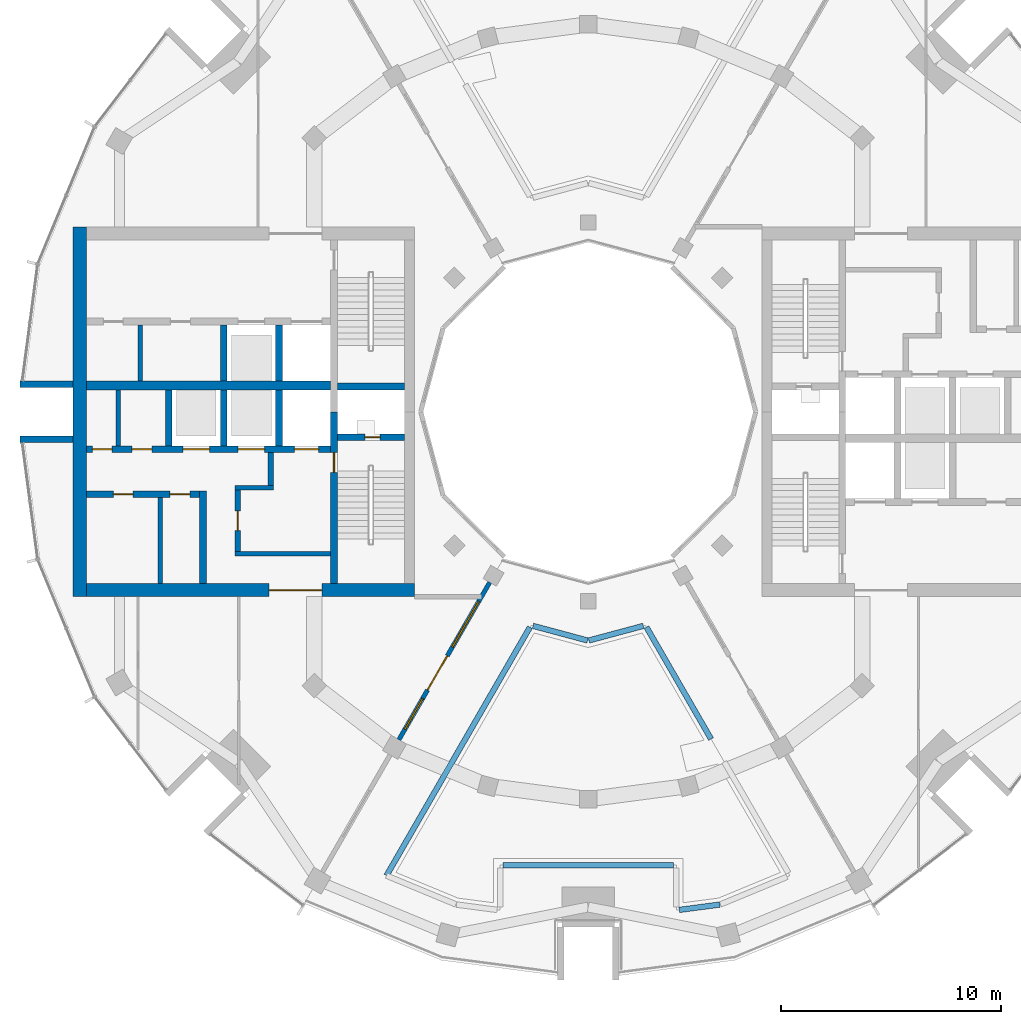
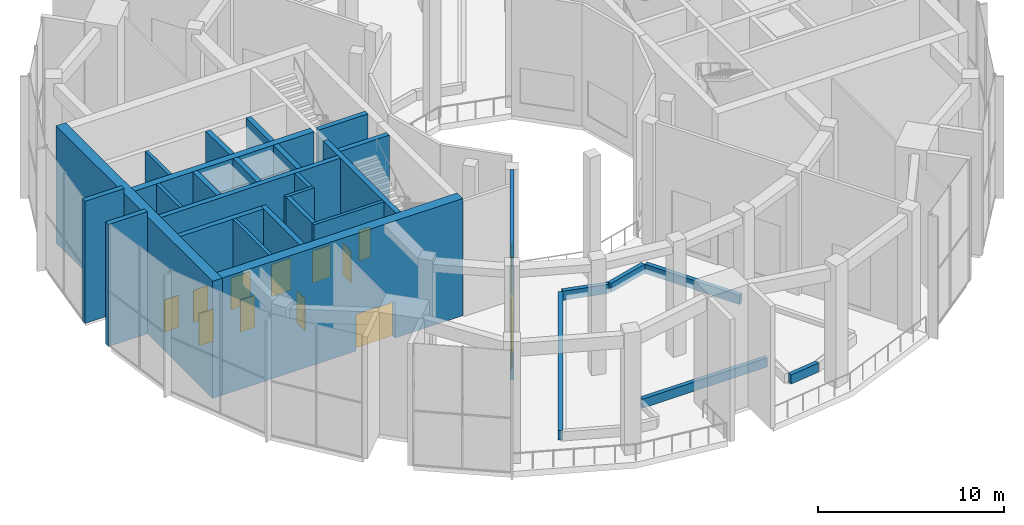
# One storey, part 11 of 18: 30 walls, 12 doors, 2 windows, 14 openings.
"""IFC4 building model written with IfcOpenShell, lengths in metres."""

import ifcopenshell
import ifcopenshell.guid

model = None  # the IFC model being written
_history = None  # IfcOwnerHistory: only IFC2X3 demands one
_inside = {}  # id of a spatial element -> (the spatial element, [elements in it])
_under = {}  # id of a project, library or spatial element -> (it, [spatial elements below it])
_declared = {}  # id of a project -> (the project, [libraries it declares])
_typed = {}  # id of a type object -> (the type object, [elements of that type])
_made_of = {}  # id of a material, layer set ... -> (it, [elements and type objects made of it])


def new_model(schema):
    """Start an empty IFC model of exactly this schema.

    Asked for "IFC4X3", IfcOpenShell would pick the latest addendum, in which some entities
    have other attributes; the version numbers below select the first issue.
    IFC2X3 requires an IfcOwnerHistory on every rooted entity: one is made here for all.
    """
    global model, _history
    if schema == "IFC4X3":
        model = ifcopenshell.file(schema_version=(4, 3, 0, 0))
    else:
        model = ifcopenshell.file(schema=schema)
    _inside.clear()
    _under.clear()
    _declared.clear()
    _typed.clear()
    _made_of.clear()
    _history = None
    if model.schema == "IFC2X3":
        org = make("IfcOrganization", Name="unknown")
        user = make(
            "IfcPersonAndOrganization",
            ThePerson=make("IfcPerson", FamilyName="unknown"),
            TheOrganization=org,
        )
        app = make(
            "IfcApplication",
            ApplicationDeveloper=org,
            Version="unknown",
            ApplicationFullName="unknown",
            ApplicationIdentifier="unknown",
        )
        _history = make(
            "IfcOwnerHistory",
            OwningUser=user,
            OwningApplication=app,
            ChangeAction="ADDED",
            CreationDate=0,
        )
    return model


def make(cls, **values):
    """One entity of the class cls with the attributes given. An attribute that is None is left unset."""
    return model.create_entity(
        cls, **{name: value for name, value in values.items() if value is not None}
    )


def rooted(cls, **values):
    """An entity with a GlobalId (a new one), such as an element, a storey or a relation."""
    return make(cls, GlobalId=ifcopenshell.guid.new(), OwnerHistory=_history, **values)


def si_unit(unit_type, name, prefix=None):
    """IfcSIUnit, for example si_unit("LENGTHUNIT", "METRE", prefix="MILLI")."""
    return make("IfcSIUnit", UnitType=unit_type, Prefix=prefix, Name=name)


def assignment(units):
    """IfcUnitAssignment: the units of a project."""
    return None if units is None else make("IfcUnitAssignment", Units=units)


def point(xyz):
    """IfcCartesianPoint."""
    return None if xyz is None else make("IfcCartesianPoint", Coordinates=xyz)


def direction(xyz):
    """IfcDirection."""
    return None if xyz is None else make("IfcDirection", DirectionRatios=xyz)


def frame(location, z_axis=None, x_axis=None):
    """IfcAxis2Placement3D, a coordinate frame: its origin and axes. An axis left out is left unset."""
    return make(
        "IfcAxis2Placement3D",
        Location=point(location),
        Axis=direction(z_axis),
        RefDirection=direction(x_axis),
    )


def frame_2d(location, x_axis=None):
    """IfcAxis2Placement2D, a coordinate frame in the plane: its origin and x axis."""
    return make(
        "IfcAxis2Placement2D", Location=point(location), RefDirection=direction(x_axis)
    )


def origin():
    """The frame at (0, 0, 0) with its axes left unset."""
    return frame((0.0, 0.0, 0.0))


def place(relative_to, where):
    """IfcLocalPlacement: puts the frame where relative to a parent placement (None: the world)."""
    return make(
        "IfcLocalPlacement", PlacementRelTo=relative_to, RelativePlacement=where
    )


def context(
    kind, dimensions, precision=None, world=None, true_north=None, identifier=None
):
    """IfcGeometricRepresentationContext, for example the 3D "Model" context."""
    return make(
        "IfcGeometricRepresentationContext",
        ContextIdentifier=identifier,
        ContextType=kind,
        CoordinateSpaceDimension=dimensions,
        Precision=precision,
        WorldCoordinateSystem=world,
        TrueNorth=true_north,
    )


def subcontext(parent, identifier, kind, view, scale=None):
    """IfcGeometricRepresentationSubContext, for example "Body" below "Model"."""
    return make(
        "IfcGeometricRepresentationSubContext",
        ContextIdentifier=identifier,
        ContextType=kind,
        ParentContext=parent,
        TargetScale=scale,
        TargetView=view,
    )


def project(units=None, contexts=None):
    """IfcProject with its units and contexts."""
    return rooted(
        "IfcProject",
        Name="project",
        RepresentationContexts=contexts,
        UnitsInContext=assignment(units),
    )


def spatial(cls, under=None, at=None, **own):
    """A site, building, storey or space (cls), placed at a placement, below another one or the project."""
    s = rooted(cls, ObjectPlacement=at, **own)
    if under is not None:
        _under.setdefault(under.id(), (under, []))[1].append(s)
    return s


def profile(cls, at=None, kind="AREA", **sizes):
    """A parametric profile (cls). Its sizes go by their IFC names, for example OverallWidth=200.0."""
    return make(cls, ProfileType=kind, Position=at, **sizes)


def rectangle(**sizes):
    """IfcRectangleProfileDef."""
    return profile("IfcRectangleProfileDef", **sizes)


def extrude(swept, where, along, depth):
    """IfcExtrudedAreaSolid: the profile swept, set in the frame where, extruded along a direction by depth."""
    return make(
        "IfcExtrudedAreaSolid",
        SweptArea=swept,
        Position=where,
        ExtrudedDirection=direction(along),
        Depth=depth,
    )


def shape(context_of_items, identifier, shape_type, items):
    """IfcShapeRepresentation: the items that make up one representation, for example the "Body"."""
    return make(
        "IfcShapeRepresentation",
        ContextOfItems=context_of_items,
        RepresentationIdentifier=identifier,
        RepresentationType=shape_type,
        Items=items,
    )


def material(Name=None, Category=None):
    """IfcMaterial."""
    return make("IfcMaterial", Name=Name, Category=Category)


def layer(
    of_material, thickness, ventilated=None, Name=None, Category=None, Priority=None
):
    """IfcMaterialLayer: one layer of a wall or slab, of a material (None: an air gap)."""
    return make(
        "IfcMaterialLayer",
        Material=of_material,
        LayerThickness=thickness,
        IsVentilated=ventilated,
        Name=Name,
        Category=Category,
        Priority=Priority,
    )


def layer_set(layers, Name=None):
    """IfcMaterialLayerSet."""
    return make("IfcMaterialLayerSet", MaterialLayers=layers, LayerSetName=Name)


def made_of(thing, what):
    """Note that an element or type object is made of a material, layer set ...; save() writes the relation."""
    if what is not None:
        _made_of.setdefault(what.id(), (what, []))[1].append(thing)
    return thing


def type_object(cls, material=None, **own):
    """A type object (cls), such as IfcWallType, which elements share."""
    return made_of(rooted(cls, **own), material)


def element(
    cls,
    number,
    at=None,
    inside=None,
    cuts=None,
    type_object=None,
    material=None,
    context=None,
    identifier="Body",
    shape_type=None,
    held_by="IfcProductDefinitionShape",
    body=None,
    shapes=None,
    **own,
):
    """One element of the class cls, such as IfcWall. Its Tag is "e" and its number.

    at: its placement. inside: the storey or other place that contains it. cuts: it is an
    opening in that element (IfcRelVoidsElement). A single representation is given by context,
    identifier, shape_type and body (its items); several are given by shapes. held_by: the class
    of the entity that holds the representations. save() writes the other relations.
    """
    e = rooted(cls, Tag="e%d" % number, ObjectPlacement=at, **own)
    if body is not None:
        shapes = [shape(context, identifier, shape_type, body)]
    if shapes is not None:
        e.Representation = make(held_by, Representations=shapes)
    if inside is not None:
        _inside.setdefault(inside.id(), (inside, []))[1].append(e)
    if cuts is not None:
        rooted(
            "IfcRelVoidsElement", RelatingBuildingElement=cuts, RelatedOpeningElement=e
        )
    if type_object is not None:
        _typed.setdefault(type_object.id(), (type_object, []))[1].append(e)
    return made_of(e, material)


def fill(opening, filler):
    """IfcRelFillsElement: the door or window that sits in an opening."""
    return rooted(
        "IfcRelFillsElement",
        RelatingOpeningElement=opening,
        RelatedBuildingElement=filler,
    )


def aggregate(whole, parts):
    """IfcRelAggregates: a whole, such as a stair, and the parts it consists of."""
    return rooted("IfcRelAggregates", RelatingObject=whole, RelatedObjects=parts)


def save(model, path):
    """Write the relations noted so far, then the file.

    IfcRelAggregates (storeys below a building ...), IfcRelContainedInSpatialStructure (elements
    in a storey), IfcRelDefinesByType, IfcRelAssociatesMaterial and IfcRelDeclares: one each for
    every whole, place, type object, material and project.
    """
    for whole, parts in _under.values():
        aggregate(whole, parts)
    for where, things in _inside.values():
        rooted(
            "IfcRelContainedInSpatialStructure",
            RelatedElements=things,
            RelatingStructure=where,
        )
    for kind, things in _typed.values():
        rooted("IfcRelDefinesByType", RelatedObjects=things, RelatingType=kind)
    for what, things in _made_of.values():
        rooted("IfcRelAssociatesMaterial", RelatedObjects=things, RelatingMaterial=what)
    for by, libraries in _declared.values():
        rooted("IfcRelDeclares", RelatingContext=by, RelatedDefinitions=libraries)
    model.write(path)


model = new_model("IFC4")

# Units and contexts
model_context = context("Model", 3, precision=1e-05, world=origin(), true_north=direction((0.0, 1.0)))
body_context = subcontext(model_context, "Body", "Model", "MODEL_VIEW")
ifc_project = project(units=[si_unit("LENGTHUNIT", "METRE"), si_unit("AREAUNIT", "SQUARE_METRE"), si_unit("VOLUMEUNIT", "CUBIC_METRE"), si_unit("PLANEANGLEUNIT", "RADIAN"), si_unit("MASSUNIT", "GRAM", prefix="KILO")], contexts=[model_context])

# Site, building, storey
site_placement = place(None, origin())
site = spatial("IfcSite", under=ifc_project, at=site_placement, CompositionType="ELEMENT")
building_placement = place(site_placement, origin())
building = spatial("IfcBuilding", under=site, at=building_placement, Name="Torre Brocal", CompositionType="ELEMENT")
storey_placement = place(building_placement, frame((0.0, 0.0, 229.300048828125)))
storey = spatial("IfcBuildingStorey", under=building, at=storey_placement, Name="L53", CompositionType="ELEMENT", Elevation=229.300048828125)

# Walls
ifc_material_1 = material(Name="Masonry block", Category="masonry")
ifc_layer_1 = layer(ifc_material_1, 0.199951171875)
ifc_layer_set_1 = layer_set([ifc_layer_1], Name="Masonry block")
wall_type_1 = type_object("IfcWallType", Name="CORE PARTITION 200", PredefinedType="PARTITIONING", material=ifc_layer_set_1)
for number, where, z_axis, x_axis, name in (
    (1, (58.639892578125, 76.0, 0.0), (0.0, 0.0, 1.0), (0.0, -1.0, 0.0), "Wall CP200"),
    (2, (59.639892578125, 78.949951171875, 0.0), (0.0, 0.0, 1.0), (0.0, -1.0, 0.0), "Wall CP200"),
):
    element("IfcWall", number, at=place(storey_placement, frame(where, z_axis=z_axis, x_axis=x_axis)), inside=storey, type_object=wall_type_1, Name=name, PredefinedType="PARTITIONING", context=body_context, shape_type="SweptSolid", body=[
        extrude(rectangle(XDim=2.550048828125, YDim=0.199951171875, at=frame_2d((1.27490234375, 0.0))), origin(), (0.0, 0.0, 1.0), 7.679931640625),
    ])
wall_1_placement = place(storey_placement, frame((60.547607421875, 71.10009765625, 0.0), z_axis=(0.0, 0.0, 1.0), x_axis=(0.0, -1.0, 0.0)))
element("IfcWall", 3, at=wall_1_placement, inside=storey, type_object=wall_type_1, Name="Wall CP200", PredefinedType="PARTITIONING", context=body_context, shape_type="SweptSolid", body=[
    extrude(rectangle(XDim=3.900146484375, YDim=0.199951171875, at=frame_2d((1.9501953125, 0.0))), origin(), (0.0, 0.0, 1.0), 7.679931640625),
])
ifc_material_2 = material(Name="Concrete C60", Category="concrete")
ifc_layer_2 = layer(ifc_material_2, 0.199951171875)
ifc_layer_set_2 = layer_set([ifc_layer_2], Name="Concrete C60")
wall_type_2 = type_object("IfcWallType", Name="CORE WALL 200 C60", PredefinedType="SHEAR", material=ifc_layer_set_2)
wall_2_placement = place(storey_placement, frame((68.300048828125, 68.550048828125, 0.0), z_axis=(0.0, 0.0, 1.0), x_axis=(-1.0, 0.0, 0.0)))
element("IfcWall", 4, at=wall_2_placement, inside=storey, type_object=wall_type_2, Name="Wall CW200-60", PredefinedType="SHEAR", context=body_context, shape_type="SweptSolid", body=[
    extrude(rectangle(XDim=4.35009765625, YDim=0.199951171875, at=frame_2d((2.175048828125, 0.0))), origin(), (0.0, 0.0, 1.0), 7.679931640625),
])
wall_3_placement = place(storey_placement, frame((65.699951171875, 71.550048828125, 0.0), z_axis=(0.0, 0.0, 1.0), x_axis=(-1.0, 0.0, 0.0)))
element("IfcWall", 5, at=wall_3_placement, inside=storey, type_object=wall_type_2, Name="Wall CW200-60", PredefinedType="SHEAR", context=body_context, shape_type="SweptSolid", body=[
    extrude(rectangle(XDim=1.75, YDim=0.199951171875, at=frame_2d((0.875, 0.0))), origin(), (0.0, 0.0, 1.0), 7.679931640625),
])

# Wall, opening, door
ifc_material_3 = material(Name="Concrete C60", Category="concrete")
ifc_layer_3 = layer(ifc_material_3, 0.25)
ifc_layer_set_3 = layer_set([ifc_layer_3], Name="Concrete C60")
wall_type_3 = type_object("IfcWallType", Name="CORE WALL 250 C60", PredefinedType="SHEAR", material=ifc_layer_set_3)
wall_4_placement = place(storey_placement, frame((64.074951171875, 71.449951171875, 0.0), z_axis=(0.0, 0.0, 1.0), x_axis=(0.0, -1.0, 0.0)))
wall_4 = element("IfcWall", 6, at=wall_4_placement, inside=storey, type_object=wall_type_3, Name="Wall CW250-60", PredefinedType="SHEAR", context=body_context, shape_type="SweptSolid", body=[
    extrude(rectangle(XDim=2.800048828125, YDim=0.25, at=frame_2d((1.39990234375, 0.0))), origin(), (0.0, 0.0, 1.0), 7.679931640625),
])
opening_1_placement = place(wall_4_placement, frame((0.949951171875, 0.0, 0.0)))
opening_1 = element("IfcOpeningElement", 7, at=opening_1_placement, cuts=wall_4, Name="Opening W-D08", PredefinedType="OPENING", context=body_context, shape_type="SweptSolid", body=[
    extrude(rectangle(XDim=0.89990234375, YDim=2.10009765625, at=frame_2d((0.449951171875, 1.050048828125))), frame((0.0, 0.135009765625, 0.0), z_axis=(0.0, -1.0, 0.0), x_axis=(1.0, 0.0, 0.0)), (0.0, 0.0, 1.0), 0.27001953125),
])
ifc_material_4 = material(Name="Steel A653", Category="steel")
door_type_1 = type_object("IfcDoorType", Name="LOBBY DOOR FD120 900X2100", OperationType="SINGLE_SWING_RIGHT", PredefinedType="DOOR", material=ifc_material_4)
door_1_placement = place(opening_1_placement, origin())
door_1 = element("IfcDoor", 8, at=door_1_placement, inside=storey, type_object=door_type_1, Name="Door W-D08", OperationType="SINGLE_SWING_LEFT", OverallHeight=2.10009765625, OverallWidth=0.89990234375, PredefinedType="DOOR", context=body_context, shape_type="SweptSolid", body=[
    extrude(rectangle(XDim=0.89990234375, YDim=2.10009765625, at=frame_2d((0.449951171875, 1.050048828125))), frame((0.0, 0.02490234375, 0.0), z_axis=(0.0, -1.0, 0.0), x_axis=(1.0, 0.0, 0.0)), (0.0, 0.0, 1.0), 0.050048828125),
])
fill(opening_1, door_1)

# Wall
wall_5_placement = place(storey_placement, frame((65.574951171875, 73.14990234375, 0.0), z_axis=(0.0, 0.0, 1.0), x_axis=(0.0, -1.0, 0.0)))
element("IfcWall", 9, at=wall_5_placement, inside=storey, type_object=wall_type_3, Name="Wall CW250-60", PredefinedType="SHEAR", context=body_context, shape_type="SweptSolid", body=[
    extrude(rectangle(XDim=1.5, YDim=0.25, at=frame_2d((0.75, 0.0))), origin(), (0.0, 0.0, 1.0), 7.679931640625),
])

# Wall, opening, door
ifc_material_5 = material(Name="Concrete C60", Category="concrete")
ifc_layer_4 = layer(ifc_material_5, 0.300048828125)
ifc_layer_set_4 = layer_set([ifc_layer_4], Name="Concrete C60")
wall_type_4 = type_object("IfcWallType", Name="CORE WALL 300 C60", PredefinedType="SHEAR", material=ifc_layer_set_4)
wall_6_placement = place(storey_placement, frame((68.449951171875, 75.0, 0.0), z_axis=(0.0, 0.0, 1.0), x_axis=(0.0, -1.0, 0.0)))
wall_6 = element("IfcWall", 10, at=wall_6_placement, inside=storey, type_object=wall_type_4, Name="Wall CW300-60", PredefinedType="SHEAR", context=body_context, shape_type="SweptSolid", body=[
    extrude(rectangle(XDim=7.800048828125, YDim=0.300048828125, at=frame_2d((3.89990234375, 0.0))), origin(), (0.0, 0.0, 1.0), 7.679931640625),
])
opening_2_placement = place(wall_6_placement, frame((1.85009765625, 0.0, 0.0)))
opening_2 = element("IfcOpeningElement", 11, at=opening_2_placement, cuts=wall_6, Name="Opening W-D02", PredefinedType="OPENING", context=body_context, shape_type="SweptSolid", body=[
    extrude(rectangle(XDim=0.89990234375, YDim=2.10009765625, at=frame_2d((0.449951171875, 1.050048828125))), frame((0.0, 0.159912109375, 0.0), z_axis=(0.0, -1.0, 0.0), x_axis=(1.0, 0.0, 0.0)), (0.0, 0.0, 1.0), 0.320068359375),
])
ifc_material_6 = material(Name="Steel A653", Category="steel")
door_type_2 = type_object("IfcDoorType", Name="STAIR DOOR FD120 900X2100", OperationType="SINGLE_SWING_RIGHT", PredefinedType="DOOR", material=ifc_material_6)
door_2_placement = place(opening_2_placement, origin())
door_2 = element("IfcDoor", 12, at=door_2_placement, inside=storey, type_object=door_type_2, Name="Door W-D02", OperationType="SINGLE_SWING_LEFT", OverallHeight=2.10009765625, OverallWidth=0.89990234375, PredefinedType="DOOR", context=body_context, shape_type="SweptSolid", body=[
    extrude(rectangle(XDim=0.89990234375, YDim=2.10009765625, at=frame_2d((0.449951171875, 1.050048828125))), frame((0.0, 0.02490234375, 0.0), z_axis=(0.0, -1.0, 0.0), x_axis=(1.0, 0.0, 0.0)), (0.0, 0.0, 1.0), 0.050048828125),
])
fill(opening_2, door_2)

wall_7_placement = place(storey_placement, frame((71.64990234375, 73.85009765625, 0.0), z_axis=(0.0, 0.0, 1.0), x_axis=(-1.0, 0.0, 0.0)))
wall_7 = element("IfcWall", 13, at=wall_7_placement, inside=storey, type_object=wall_type_4, Name="Wall CW300-60", PredefinedType="SHEAR", context=body_context, shape_type="SweptSolid", body=[
    extrude(rectangle(XDim=3.0498046875, YDim=0.300048828125, at=frame_2d((1.52490234375, 0.0))), origin(), (0.0, 0.0, 1.0), 7.679931640625),
])
opening_3_placement = place(wall_7_placement, frame((1.10009765625, 0.0, 0.0)))
opening_3 = element("IfcOpeningElement", 14, at=opening_3_placement, cuts=wall_7, Name="Opening W-D01", PredefinedType="OPENING", context=body_context, shape_type="SweptSolid", body=[
    extrude(rectangle(XDim=0.699951171875, YDim=2.0, at=frame_2d((0.35009765625, 1.0))), frame((0.0, 0.159912109375, 0.0), z_axis=(0.0, -1.0, 0.0), x_axis=(1.0, 0.0, 0.0)), (0.0, 0.0, 1.0), 0.320068359375),
])
ifc_material_7 = material(Name="Steel A653", Category="steel")
door_type_3 = type_object("IfcDoorType", Name="RISER DOOR FD120 700X2000", OperationType="SINGLE_SWING_LEFT", PredefinedType="DOOR", material=ifc_material_7)
door_3_placement = place(opening_3_placement, frame((0.699951171875, 0.0, 0.0), z_axis=(0.0, 0.0, 1.0), x_axis=(-1.0, 0.0, 0.0)))
door_3 = element("IfcDoor", 15, at=door_3_placement, inside=storey, type_object=door_type_3, Name="Door W-D01", OperationType="SINGLE_SWING_RIGHT", OverallHeight=2.0, OverallWidth=0.699951171875, PredefinedType="DOOR", context=body_context, shape_type="SweptSolid", body=[
    extrude(rectangle(XDim=0.699951171875, YDim=2.0, at=frame_2d((0.35009765625, 1.0))), frame((0.0, 0.02490234375, 0.0), z_axis=(0.0, -1.0, 0.0), x_axis=(1.0, 0.0, 0.0)), (0.0, 0.0, 1.0), 0.050048828125),
])
fill(opening_3, door_3)

# Wall
wall_8_placement = place(storey_placement, frame((71.64990234375, 76.14990234375, 0.0), z_axis=(0.0, 0.0, 1.0), x_axis=(-1.0, 0.0, 0.0)))
element("IfcWall", 16, at=wall_8_placement, inside=storey, type_object=wall_type_4, Name="Wall CW300-60", PredefinedType="SHEAR", context=body_context, shape_type="SweptSolid", body=[
    extrude(rectangle(XDim=3.0498046875, YDim=0.300048828125, at=frame_2d((1.52490234375, 0.0))), origin(), (0.0, 0.0, 1.0), 7.679931640625),
])

# Wall, openings, doors
wall_9_placement = place(storey_placement, frame((68.300048828125, 73.300048828125, 0.0), z_axis=(0.0, 0.0, 1.0), x_axis=(-1.0, 0.0, 0.0)))
wall_9 = element("IfcWall", 17, at=wall_9_placement, inside=storey, type_object=wall_type_4, Name="Wall CW300-60", PredefinedType="SHEAR", context=body_context, shape_type="SweptSolid", body=[
    extrude(rectangle(XDim=11.10009765625, YDim=0.300048828125, at=frame_2d((5.550048828125, 0.0))), origin(), (0.0, 0.0, 1.0), 7.679931640625),
])
opening_4_placement = place(wall_9_placement, frame((0.550048828125, 0.0, 0.0)))
opening_4 = element("IfcOpeningElement", 18, at=opening_4_placement, cuts=wall_9, Name="Opening LD", PredefinedType="OPENING", context=body_context, shape_type="SweptSolid", body=[
    extrude(rectangle(XDim=1.10009765625, YDim=2.10009765625, at=frame_2d((0.550048828125, 1.050048828125))), frame((0.0, 0.159912109375, 0.0), z_axis=(0.0, -1.0, 0.0), x_axis=(1.0, 0.0, 0.0)), (0.0, 0.0, 1.0), 0.320068359375),
])
opening_5_placement = place(wall_9_placement, frame((3.0, 0.0, 0.0)))
opening_5 = element("IfcOpeningElement", 19, at=opening_5_placement, cuts=wall_9, Name="Opening LD12", PredefinedType="OPENING", context=body_context, shape_type="SweptSolid", body=[
    extrude(rectangle(XDim=1.199951171875, YDim=2.10009765625, at=frame_2d((0.60009765625, 1.050048828125))), frame((0.0, 0.159912109375, 0.0), z_axis=(0.0, -1.0, 0.0), x_axis=(1.0, 0.0, 0.0)), (0.0, 0.0, 1.0), 0.320068359375),
])
opening_6_placement = place(wall_9_placement, frame((5.5, 0.0, 0.0)))
opening_6 = element("IfcOpeningElement", 20, at=opening_6_placement, cuts=wall_9, Name="Opening LD12", PredefinedType="OPENING", context=body_context, shape_type="SweptSolid", body=[
    extrude(rectangle(XDim=1.199951171875, YDim=2.10009765625, at=frame_2d((0.60009765625, 1.050048828125))), frame((0.0, 0.159912109375, 0.0), z_axis=(0.0, -1.0, 0.0), x_axis=(1.0, 0.0, 0.0)), (0.0, 0.0, 1.0), 0.320068359375),
])
opening_7_placement = place(wall_9_placement, frame((8.1298828125, 0.0, 0.0)))
opening_7 = element("IfcOpeningElement", 21, at=opening_7_placement, cuts=wall_9, Name="Opening W-D04", PredefinedType="OPENING", context=body_context, shape_type="SweptSolid", body=[
    extrude(rectangle(XDim=0.89990234375, YDim=2.10009765625, at=frame_2d((0.449951171875, 1.050048828125))), frame((0.0, 0.159912109375, 0.0), z_axis=(0.0, -1.0, 0.0), x_axis=(1.0, 0.0, 0.0)), (0.0, 0.0, 1.0), 0.320068359375),
])
opening_8_placement = place(wall_9_placement, frame((9.929931640625, 0.0, 0.0)))
opening_8 = element("IfcOpeningElement", 22, at=opening_8_placement, cuts=wall_9, Name="Opening W-D05", PredefinedType="OPENING", context=body_context, shape_type="SweptSolid", body=[
    extrude(rectangle(XDim=0.89990234375, YDim=2.10009765625, at=frame_2d((0.449951171875, 1.050048828125))), frame((0.0, 0.159912109375, 0.0), z_axis=(0.0, -1.0, 0.0), x_axis=(1.0, 0.0, 0.0)), (0.0, 0.0, 1.0), 0.320068359375),
])
ifc_material_8 = material(Name="Stainless steel AISI 316", Category="steel")
door_type_4 = type_object("IfcDoorType", Name="LIFT LANDING DOOR 1100X2100", OperationType="DOUBLE_DOOR_SLIDING", PredefinedType="DOOR", material=ifc_material_8)
door_4_placement = place(opening_4_placement, origin())
door_4 = element("IfcDoor", 23, at=door_4_placement, inside=storey, type_object=door_type_4, Name="Door LD", OperationType="DOUBLE_DOOR_SLIDING", OverallHeight=2.10009765625, OverallWidth=1.10009765625, PredefinedType="DOOR", context=body_context, shape_type="SweptSolid", body=[
    extrude(rectangle(XDim=1.10009765625, YDim=2.10009765625, at=frame_2d((0.550048828125, 1.050048828125))), frame((0.0, 0.02490234375, 0.0), z_axis=(0.0, -1.0, 0.0), x_axis=(1.0, 0.0, 0.0)), (0.0, 0.0, 1.0), 0.050048828125),
])
fill(opening_4, door_4)
ifc_material_9 = material(Name="Stainless steel AISI 316", Category="steel")
door_type_5 = type_object("IfcDoorType", Name="LIFT LANDING DOOR 1200X2100", OperationType="DOUBLE_DOOR_SLIDING", PredefinedType="DOOR", material=ifc_material_9)
door_5_placement = place(opening_5_placement, origin())
door_5 = element("IfcDoor", 24, at=door_5_placement, inside=storey, type_object=door_type_5, Name="Door LD12", OperationType="DOUBLE_DOOR_SLIDING", OverallHeight=2.10009765625, OverallWidth=1.199951171875, PredefinedType="DOOR", context=body_context, shape_type="SweptSolid", body=[
    extrude(rectangle(XDim=1.199951171875, YDim=2.10009765625, at=frame_2d((0.60009765625, 1.050048828125))), frame((0.0, 0.02490234375, 0.0), z_axis=(0.0, -1.0, 0.0), x_axis=(1.0, 0.0, 0.0)), (0.0, 0.0, 1.0), 0.050048828125),
])
fill(opening_5, door_5)
door_6_placement = place(opening_6_placement, origin())
door_6 = element("IfcDoor", 25, at=door_6_placement, inside=storey, type_object=door_type_5, Name="Door LD12", OperationType="DOUBLE_DOOR_SLIDING", OverallHeight=2.10009765625, OverallWidth=1.199951171875, PredefinedType="DOOR", context=body_context, shape_type="SweptSolid", body=[
    extrude(rectangle(XDim=1.199951171875, YDim=2.10009765625, at=frame_2d((0.60009765625, 1.050048828125))), frame((0.0, 0.02490234375, 0.0), z_axis=(0.0, -1.0, 0.0), x_axis=(1.0, 0.0, 0.0)), (0.0, 0.0, 1.0), 0.050048828125),
])
fill(opening_6, door_6)
ifc_material_10 = material(Name="Steel A653", Category="steel")
door_type_6 = type_object("IfcDoorType", Name="ROOM DOOR FD30S 900X2100", OperationType="SINGLE_SWING_LEFT", PredefinedType="DOOR", material=ifc_material_10)
door_7_placement = place(opening_7_placement, frame((0.89990234375, 0.0, 0.0), z_axis=(0.0, 0.0, 1.0), x_axis=(-1.0, 0.0, 0.0)))
door_7 = element("IfcDoor", 26, at=door_7_placement, inside=storey, type_object=door_type_6, Name="Door W-D04", OperationType="SINGLE_SWING_LEFT", OverallHeight=2.10009765625, OverallWidth=0.89990234375, PredefinedType="DOOR", context=body_context, shape_type="SweptSolid", body=[
    extrude(rectangle(XDim=0.89990234375, YDim=2.10009765625, at=frame_2d((0.449951171875, 1.050048828125))), frame((0.0, 0.02490234375, 0.0), z_axis=(0.0, -1.0, 0.0), x_axis=(1.0, 0.0, 0.0)), (0.0, 0.0, 1.0), 0.050048828125),
])
fill(opening_7, door_7)
door_8_placement = place(opening_8_placement, frame((0.89990234375, 0.0, 0.0), z_axis=(0.0, 0.0, 1.0), x_axis=(-1.0, 0.0, 0.0)))
door_8 = element("IfcDoor", 27, at=door_8_placement, inside=storey, type_object=door_type_6, Name="Door W-D05", OperationType="SINGLE_SWING_RIGHT", OverallHeight=2.10009765625, OverallWidth=0.89990234375, PredefinedType="DOOR", context=body_context, shape_type="SweptSolid", body=[
    extrude(rectangle(XDim=0.89990234375, YDim=2.10009765625, at=frame_2d((0.449951171875, 1.050048828125))), frame((0.0, 0.02490234375, 0.0), z_axis=(0.0, -1.0, 0.0), x_axis=(1.0, 0.0, 0.0)), (0.0, 0.0, 1.0), 0.050048828125),
])
fill(opening_8, door_8)

# Walls
for number, where, z_axis, x_axis, name in (
    (28, (65.949951171875, 76.0, 0.0), (0.0, 0.0, 1.0), (0.0, -1.0, 0.0), "Wall CW300-60"),
    (29, (63.449951171875, 76.0, 0.0), (0.0, 0.0, 1.0), (0.0, -1.0, 0.0), "Wall CW300-60"),
    (30, (60.949951171875, 76.0, 0.0), (0.0, 0.0, 1.0), (0.0, -1.0, 0.0), "Wall CW300-60"),
    (31, (65.949951171875, 78.949951171875, 0.0), (0.0, 0.0, 1.0), (0.0, -1.0, 0.0), "Wall CW300-60"),
    (32, (63.449951171875, 78.949951171875, 0.0), (0.0, 0.0, 1.0), (0.0, -1.0, 0.0), "Wall CW300-60"),
):
    element("IfcWall", number, at=place(storey_placement, frame(where, z_axis=z_axis, x_axis=x_axis)), inside=storey, type_object=wall_type_4, Name=name, PredefinedType="SHEAR", context=body_context, shape_type="SweptSolid", body=[
        extrude(rectangle(XDim=2.550048828125, YDim=0.300048828125, at=frame_2d((1.27490234375, 0.0))), origin(), (0.0, 0.0, 1.0), 7.679931640625),
    ])
wall_10_placement = place(storey_placement, frame((62.5, 71.39990234375, 0.0), z_axis=(0.0, 0.0, 1.0), x_axis=(0.0, -1.0, 0.0)))
element("IfcWall", 33, at=wall_10_placement, inside=storey, type_object=wall_type_4, Name="Wall CW300-60", PredefinedType="SHEAR", context=body_context, shape_type="SweptSolid", body=[
    extrude(rectangle(XDim=4.199951171875, YDim=0.300048828125, at=frame_2d((2.10009765625, 0.0))), origin(), (0.0, 0.0, 1.0), 7.679931640625),
])

# Wall, openings, doors
wall_11_placement = place(storey_placement, frame((62.35009765625, 71.25, 0.0), z_axis=(0.0, 0.0, 1.0), x_axis=(-1.0, 0.0, 0.0)))
wall_11 = element("IfcWall", 34, at=wall_11_placement, inside=storey, type_object=wall_type_4, Name="Wall CW300-60", PredefinedType="SHEAR", context=body_context, shape_type="SweptSolid", body=[
    extrude(rectangle(XDim=5.150146484375, YDim=0.300048828125, at=frame_2d((2.5751953125, 0.0))), origin(), (0.0, 0.0, 1.0), 7.679931640625),
])
opening_9_placement = place(wall_11_placement, frame((0.451171875, 0.0, 0.0)))
opening_9 = element("IfcOpeningElement", 35, at=opening_9_placement, cuts=wall_11, Name="Opening W-D09", PredefinedType="OPENING", context=body_context, shape_type="SweptSolid", body=[
    extrude(rectangle(XDim=0.89990234375, YDim=2.10009765625, at=frame_2d((0.449951171875, 1.050048828125))), frame((0.0, 0.159912109375, 0.0), z_axis=(0.0, -1.0, 0.0), x_axis=(1.0, 0.0, 0.0)), (0.0, 0.0, 1.0), 0.320068359375),
])
opening_10_placement = place(wall_11_placement, frame((3.026123046875, 0.0, 0.0)))
opening_10 = element("IfcOpeningElement", 36, at=opening_10_placement, cuts=wall_11, Name="Opening W-D10", PredefinedType="OPENING", context=body_context, shape_type="SweptSolid", body=[
    extrude(rectangle(XDim=0.89990234375, YDim=2.10009765625, at=frame_2d((0.449951171875, 1.050048828125))), frame((0.0, 0.159912109375, 0.0), z_axis=(0.0, -1.0, 0.0), x_axis=(1.0, 0.0, 0.0)), (0.0, 0.0, 1.0), 0.320068359375),
])
door_9_placement = place(opening_9_placement, origin())
door_9 = element("IfcDoor", 37, at=door_9_placement, inside=storey, type_object=door_type_6, Name="Door W-D09", OperationType="SINGLE_SWING_RIGHT", OverallHeight=2.10009765625, OverallWidth=0.89990234375, PredefinedType="DOOR", context=body_context, shape_type="SweptSolid", body=[
    extrude(rectangle(XDim=0.89990234375, YDim=2.10009765625, at=frame_2d((0.449951171875, 1.050048828125))), frame((0.0, 0.02490234375, 0.0), z_axis=(0.0, -1.0, 0.0), x_axis=(1.0, 0.0, 0.0)), (0.0, 0.0, 1.0), 0.050048828125),
])
fill(opening_9, door_9)
door_10_placement = place(opening_10_placement, origin())
door_10 = element("IfcDoor", 38, at=door_10_placement, inside=storey, type_object=door_type_6, Name="Door W-D10", OperationType="SINGLE_SWING_LEFT", OverallHeight=2.10009765625, OverallWidth=0.89990234375, PredefinedType="DOOR", context=body_context, shape_type="SweptSolid", body=[
    extrude(rectangle(XDim=0.89990234375, YDim=2.10009765625, at=frame_2d((0.449951171875, 1.050048828125))), frame((0.0, 0.02490234375, 0.0), z_axis=(0.0, -1.0, 0.0), x_axis=(1.0, 0.0, 0.0)), (0.0, 0.0, 1.0), 0.050048828125),
])
fill(opening_10, door_10)

# Wall
ifc_material_11 = material(Name="Concrete C60", Category="concrete")
ifc_layer_5 = layer(ifc_material_11, 0.39990234375)
ifc_layer_set_5 = layer_set([ifc_layer_5], Name="Concrete C60")
wall_type_5 = type_object("IfcWallType", Name="CORE WALL 400 C60", PredefinedType="SHEAR", material=ifc_layer_set_5)
wall_12_placement = place(storey_placement, frame((68.300048828125, 76.199951171875, 0.0), z_axis=(0.0, 0.0, 1.0), x_axis=(-1.0, 0.0, 0.0)))
element("IfcWall", 39, at=wall_12_placement, inside=storey, type_object=wall_type_5, Name="Wall CW400-60", PredefinedType="SHEAR", context=body_context, shape_type="SweptSolid", body=[
    extrude(rectangle(XDim=11.10009765625, YDim=0.39990234375, at=frame_2d((5.550048828125, 0.0))), origin(), (0.0, 0.0, 1.0), 7.679931640625),
])

# Wall, opening, door
ifc_material_12 = material(Name="Concrete C60", Category="concrete")
ifc_layer_6 = layer(ifc_material_12, 0.60009765625)
ifc_layer_set_6 = layer_set([ifc_layer_6], Name="Concrete C60")
wall_type_6 = type_object("IfcWallType", Name="CORE WALL 600 C60", PredefinedType="SHEAR", material=ifc_layer_set_6)
wall_13_placement = place(storey_placement, frame((72.10009765625, 66.89990234375, 0.0), z_axis=(0.0, 0.0, 1.0), x_axis=(-1.0, 0.0, 0.0)))
wall_13 = element("IfcWall", 40, at=wall_13_placement, inside=storey, type_object=wall_type_6, Name="Wall CW600-60", PredefinedType="SHEAR", context=body_context, shape_type="SweptSolid", body=[
    extrude(rectangle(XDim=14.900146484375, YDim=0.60009765625, at=frame_2d((7.4501953125, 0.0))), origin(), (0.0, 0.0, 1.0), 7.679931640625),
])
opening_11_placement = place(wall_13_placement, frame((4.199951171875, 0.0, 0.0)))
opening_11 = element("IfcOpeningElement", 41, at=opening_11_placement, cuts=wall_13, Name="Opening W-D34", PredefinedType="OPENING", context=body_context, shape_type="SweptSolid", body=[
    extrude(rectangle(XDim=2.39990234375, YDim=2.39990234375, at=frame_2d((1.199951171875, 1.199951171875))), frame((0.0, 0.31005859375, 0.0), z_axis=(0.0, -1.0, 0.0), x_axis=(1.0, 0.0, 0.0)), (0.0, 0.0, 1.0), 0.6201171875),
])
ifc_material_13 = material(Name="Steel A653", Category="steel")
door_type_7 = type_object("IfcDoorType", Name="DOUBLE FIRE DOOR FD90 2400X2400", OperationType="DOUBLE_DOOR_SINGLE_SWING", PredefinedType="DOOR", material=ifc_material_13)
door_11_placement = place(opening_11_placement, origin())
door_11 = element("IfcDoor", 42, at=door_11_placement, inside=storey, type_object=door_type_7, Name="Door W-D34", OperationType="DOUBLE_DOOR_SINGLE_SWING", OverallHeight=2.39990234375, OverallWidth=2.39990234375, PredefinedType="DOOR", context=body_context, shape_type="SweptSolid", body=[
    extrude(rectangle(XDim=2.39990234375, YDim=2.39990234375, at=frame_2d((1.199951171875, 1.199951171875))), frame((0.0, 0.02490234375, 0.0), z_axis=(0.0, -1.0, 0.0), x_axis=(1.0, 0.0, 0.0)), (0.0, 0.0, 1.0), 0.050048828125),
])
fill(opening_11, door_11)

# Walls
wall_14_placement = place(storey_placement, frame((56.89990234375, 83.39990234375, 0.0), z_axis=(0.0, 0.0, 1.0), x_axis=(0.0, -1.0, 0.0)))
element("IfcWall", 43, at=wall_14_placement, inside=storey, type_object=wall_type_6, Name="Wall CW600-60", PredefinedType="SHEAR", context=body_context, shape_type="SweptSolid", body=[
    extrude(rectangle(XDim=16.7998046875, YDim=0.60009765625, at=frame_2d((8.39990234375, 0.0))), origin(), (0.0, 0.0, 1.0), 7.679931640625),
])
ifc_material_14 = material(Name="Concrete C60", Category="concrete")
ifc_layer_7 = layer(ifc_material_14, 0.300048828125)
ifc_layer_set_7 = layer_set([ifc_layer_7], Name="Concrete C60")
wall_type_7 = type_object("IfcWallType", Name="NOTCH RETURN WALL 300 C60", PredefinedType="NOTDEFINED", material=ifc_layer_set_7)
for number, where, z_axis, x_axis, name in (
    (44, (56.60009765625, 76.25, 0.0), (0.0, 0.0, 1.0), (-1.0, 0.0, 0.0), "NOTCH RETURN WALL"),
    (45, (56.60009765625, 73.75, 0.0), (0.0, 0.0, 1.0), (-1.0, 0.0, 0.0), "NOTCH RETURN WALL"),
):
    element("IfcWall", number, at=place(storey_placement, frame(where, z_axis=z_axis, x_axis=x_axis)), inside=storey, type_object=wall_type_7, Name=name, PredefinedType="NOTDEFINED", context=body_context, shape_type="SweptSolid", body=[
        extrude(rectangle(XDim=2.415771484375, YDim=0.300048828125, at=frame_2d((1.2080078125, 0.0))), origin(), (0.0, 0.0, 1.0), 8.0),
    ])

# Wall, openings, door, windows
ifc_material_15 = material(Name="Concrete C40", Category="concrete")
ifc_layer_8 = layer(ifc_material_15, 0.199951171875)
ifc_layer_set_8 = layer_set([ifc_layer_8], Name="Concrete C40")
wall_type_8 = type_object("IfcWallType", Name="PAVILION BOUNDARY WALL 200", PredefinedType="NOTDEFINED", material=ifc_layer_set_8)
wall_15_placement = place(storey_placement, frame((75.52490234375, 67.2490234375, 0.0), z_axis=(0.0, 0.0, 1.0), x_axis=(-0.499996545922, -0.866027397988, 0.0)))
wall_15 = element("IfcWall", 46, at=wall_15_placement, inside=storey, type_object=wall_type_8, Name="PAVILION BOUNDARY WALL", PredefinedType="NOTDEFINED", context=body_context, shape_type="SweptSolid", body=[
    extrude(rectangle(XDim=8.25, YDim=0.199951171875, at=frame_2d((4.125, 0.0))), origin(), (0.0, 0.0, 1.0), 8.0),
])
opening_12_placement = place(wall_15_placement, frame((1.0, 0.0, 0.300048828125)))
opening_12 = element("IfcOpeningElement", 47, at=opening_12_placement, cuts=wall_15, Name="Opening W4", PredefinedType="OPENING", context=body_context, shape_type="SweptSolid", body=[
    extrude(rectangle(XDim=2.39990234375, YDim=3.60009765625, at=frame_2d((1.199951171875, 1.800048828125))), frame((0.0, 0.10986328125, 0.0), z_axis=(0.0, -1.0, 0.0), x_axis=(1.0, 0.0, 0.0)), (0.0, 0.0, 1.0), 0.219970703125),
])
opening_13_placement = place(wall_15_placement, frame((3.85009765625, 0.0, 0.0)))
opening_13 = element("IfcOpeningElement", 48, at=opening_13_placement, cuts=wall_15, Name="Opening L53-E03", PredefinedType="OPENING", context=body_context, shape_type="SweptSolid", body=[
    extrude(rectangle(XDim=1.800048828125, YDim=2.39990234375, at=frame_2d((0.89990234375, 1.199951171875))), frame((0.0, 0.10986328125, 0.0), z_axis=(0.0, -1.0, 0.0), x_axis=(1.0, 0.0, 0.0)), (0.0, 0.0, 1.0), 0.219970703125),
])
opening_14_placement = place(wall_15_placement, frame((6.10009765625, 0.0, 0.300048828125)))
opening_14 = element("IfcOpeningElement", 49, at=opening_14_placement, cuts=wall_15, Name="Opening W4-1600", PredefinedType="OPENING", context=body_context, shape_type="SweptSolid", body=[
    extrude(rectangle(XDim=1.60009765625, YDim=3.60009765625, at=frame_2d((0.800048828125, 1.800048828125))), frame((0.0, 0.10986328125, 0.0), z_axis=(0.0, -1.0, 0.0), x_axis=(1.0, 0.0, 0.0)), (0.0, 0.0, 1.0), 0.219970703125),
])
ifc_material_16 = material(Name="Aluminium and glass", Category="aluminium")
door_type_8 = type_object("IfcDoorType", Name="PAVILION DOOR 1800X2400", OperationType="DOUBLE_DOOR_SINGLE_SWING", PredefinedType="DOOR", material=ifc_material_16)
door_12_placement = place(opening_13_placement, origin())
door_12 = element("IfcDoor", 50, at=door_12_placement, inside=storey, type_object=door_type_8, Name="DOOR L53-E03", OperationType="DOUBLE_DOOR_SINGLE_SWING", OverallHeight=2.39990234375, OverallWidth=1.800048828125, PredefinedType="DOOR", context=body_context, shape_type="SweptSolid", body=[
    extrude(rectangle(XDim=1.800048828125, YDim=2.39990234375, at=frame_2d((0.89990234375, 1.199951171875))), frame((0.0, 0.02490234375, 0.0), z_axis=(0.0, -1.0, 0.0), x_axis=(1.0, 0.0, 0.0)), (0.0, 0.0, 1.0), 0.050048828125),
])
fill(opening_13, door_12)
ifc_material_17 = material(Name="Aluminium and glass", Category="aluminium")
window_type_1 = type_object("IfcWindowType", Name="PAVILION WINDOW 1600X3600", PartitioningType="SINGLE_PANEL", PredefinedType="WINDOW", material=ifc_material_17)
window_1_placement = place(opening_14_placement, origin())
window_1 = element("IfcWindow", 51, at=window_1_placement, inside=storey, type_object=window_type_1, Name="PAVILION WINDOW 1600X3600", OverallHeight=3.60009765625, OverallWidth=1.60009765625, PartitioningType="SINGLE_PANEL", PredefinedType="WINDOW", context=body_context, shape_type="SweptSolid", body=[
    extrude(rectangle(XDim=1.60009765625, YDim=3.60009765625, at=frame_2d((0.800048828125, 1.800048828125))), frame((0.0, 0.030029296875, 0.0), z_axis=(0.0, -1.0, 0.0), x_axis=(1.0, 0.0, 0.0)), (0.0, 0.0, 1.0), 0.06005859375),
])
fill(opening_14, window_1)
ifc_material_18 = material(Name="Aluminium and glass", Category="aluminium")
window_type_2 = type_object("IfcWindowType", Name="PAVILION WINDOW 2400X3600", PartitioningType="SINGLE_PANEL", PredefinedType="WINDOW", material=ifc_material_18)
window_2_placement = place(opening_12_placement, origin())
window_2 = element("IfcWindow", 52, at=window_2_placement, inside=storey, type_object=window_type_2, Name="PAVILION WINDOW 2400X3600", OverallHeight=3.60009765625, OverallWidth=2.39990234375, PartitioningType="SINGLE_PANEL", PredefinedType="WINDOW", context=body_context, shape_type="SweptSolid", body=[
    extrude(rectangle(XDim=2.39990234375, YDim=3.60009765625, at=frame_2d((1.199951171875, 1.800048828125))), frame((0.0, 0.030029296875, 0.0), z_axis=(0.0, -1.0, 0.0), x_axis=(1.0, 0.0, 0.0)), (0.0, 0.0, 1.0), 0.06005859375),
])
fill(opening_12, window_2)

# Walls
ifc_material_19 = material(Name="Concrete C35", Category="concrete")
ifc_layer_9 = layer(ifc_material_19, 0.25)
ifc_layer_set_9 = layer_set([ifc_layer_9], Name="Concrete C35")
wall_type_9 = type_object("IfcWallType", Name="PLANTER WALL 250 THICK 600 HIGH 8", PredefinedType="USERDEFINED", material=ifc_layer_set_9)
wall_16_placement = place(storey_placement, frame((76.125, 54.39990234375, 0.0), z_axis=(0.0, 0.0, 1.0), x_axis=(1.0, 0.0, 0.0)))
element("IfcWall", 53, at=wall_16_placement, inside=storey, type_object=wall_type_9, Name="PLANTER", ObjectType="PLANTER", PredefinedType="USERDEFINED", context=body_context, shape_type="SweptSolid", body=[
    extrude(rectangle(XDim=7.75, YDim=0.25, at=frame_2d((3.875, 0.0))), origin(), (0.0, 0.0, 1.0), 0.599853515625),
])
wall_17_placement = place(storey_placement, frame((84.141357421875, 52.369384765625, 0.0), z_axis=(0.0, 0.0, 1.0), x_axis=(0.991436829887, 0.130587182926, 0.0)))
element("IfcWall", 54, at=wall_17_placement, inside=storey, type_object=wall_type_9, Name="PLANTER", ObjectType="PLANTER", PredefinedType="USERDEFINED", context=body_context, shape_type="SweptSolid", body=[
    extrude(rectangle(XDim=1.8564453125, YDim=0.25, at=frame_2d((0.92822265625, 0.0))), origin(), (0.0, 0.0, 1.0), 0.599853515625),
])
wall_18_placement = place(storey_placement, frame((85.582275390625, 60.13134765625, 0.0), z_axis=(0.0, 0.0, 1.0), x_axis=(-0.499999689456, 0.866025583077, 0.0)))
element("IfcWall", 55, at=wall_18_placement, inside=storey, type_object=wall_type_9, Name="PLANTER", ObjectType="PLANTER", PredefinedType="USERDEFINED", context=body_context, shape_type="SweptSolid", body=[
    extrude(rectangle(XDim=5.86962890625, YDim=0.25, at=frame_2d((2.934814453125, 0.0))), origin(), (0.0, 0.0, 1.0), 0.599853515625),
])
for number, where, z_axis, x_axis, name in (
    (56, (82.5068359375, 65.27294921875, 0.0), (0.0, 0.0, 1.0), (-0.965917845578, -0.258848827685, 0.0), "PLANTER"),
    (57, (79.967529296875, 64.60986328125, 0.0), (0.0, 0.0, 1.0), (-0.965917845578, 0.258848827685, 0.0), "PLANTER"),
):
    element("IfcWall", number, at=place(storey_placement, frame(where, z_axis=z_axis, x_axis=x_axis)), inside=storey, type_object=wall_type_9, Name=name, ObjectType="PLANTER", PredefinedType="USERDEFINED", context=body_context, shape_type="SweptSolid", body=[
        extrude(rectangle(XDim=2.561767578125, YDim=0.25, at=frame_2d((1.28076171875, 0.0))), origin(), (0.0, 0.0, 1.0), 0.599853515625),
    ])
wall_19_placement = place(storey_placement, frame((77.3525390625, 65.214599609375, 0.0), z_axis=(0.0, 0.0, 1.0), x_axis=(-0.499990498062, -0.866030889661, 0.0)))
element("IfcWall", 58, at=wall_19_placement, inside=storey, type_object=wall_type_9, Name="PLANTER", ObjectType="PLANTER", PredefinedType="USERDEFINED", context=body_context, shape_type="SweptSolid", body=[
    extrude(rectangle(XDim=13.035400390625, YDim=0.25, at=frame_2d((6.517578125, 0.0))), origin(), (0.0, 0.0, 1.0), 0.599853515625),
])

save(model, "model.ifc")
